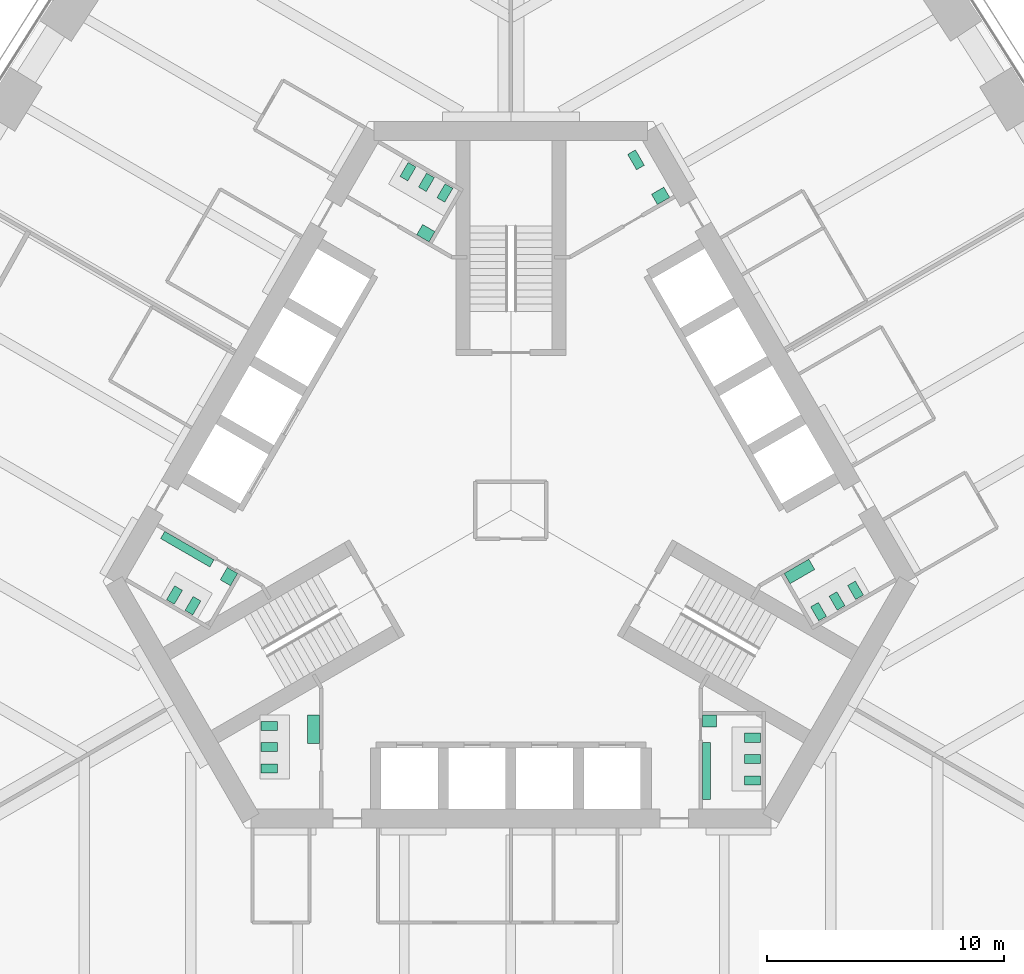
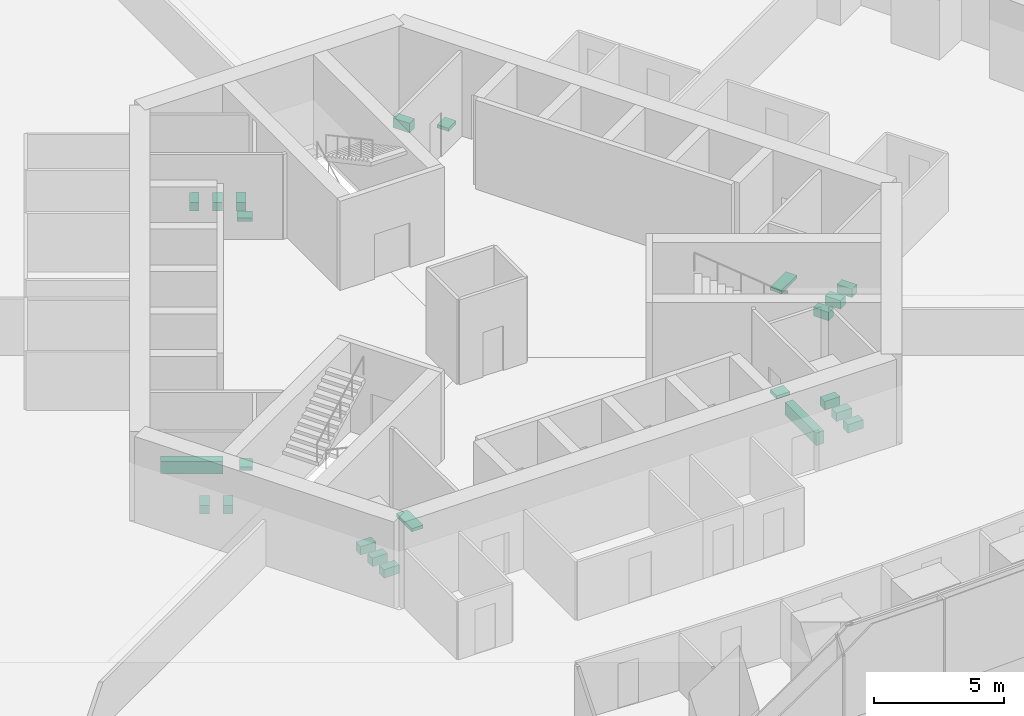
# One storey, part 17 of 18: 23 sanitary terminals.
"""IFC4 building model written with IfcOpenShell, lengths in metres."""

from ifc_helpers import new_model, si_unit, direction, frame, origin, place, context, subcontext, project, spatial, polyline, outline, extrude, material, type_object, element, save


model = new_model("IFC4")

# Units and contexts
model_context = context("Model", 3, precision=1e-05, world=origin(), true_north=direction((0.0, 1.0)))
body_context = subcontext(model_context, "Body", "Model", "MODEL_VIEW")
ifc_project = project(units=[si_unit("LENGTHUNIT", "METRE"), si_unit("AREAUNIT", "SQUARE_METRE"), si_unit("VOLUMEUNIT", "CUBIC_METRE"), si_unit("PLANEANGLEUNIT", "RADIAN"), si_unit("MASSUNIT", "GRAM", prefix="KILO")], contexts=[model_context])

# Site, building, storey
site_placement = place(None, origin())
site = spatial("IfcSite", under=ifc_project, at=site_placement, CompositionType="ELEMENT")
building_placement = place(site_placement, origin())
building = spatial("IfcBuilding", under=site, at=building_placement, Name="Trefoil Bronze Tower", CompositionType="ELEMENT")
storey_placement = place(building_placement, frame((0.0, 0.0, 71.10009765625)))
storey = spatial("IfcBuildingStorey", under=building, at=storey_placement, Name="L16", CompositionType="ELEMENT", Elevation=71.10009765625)

# Sanitary terminals
ifc_material_1 = material(Name="Vitreous china", Category="ceramic")
sanitary_terminal_type_1 = type_object("IfcSanitaryTerminalType", Name="Accessible WC pan", PredefinedType="TOILETPAN", material=ifc_material_1)
sanitary_terminal_1_placement = place(storey_placement, origin())
element("IfcSanitaryTerminal", 1, at=sanitary_terminal_1_placement, inside=storey, type_object=sanitary_terminal_type_1, Name="WC pan 1 Accessible WC L16", PredefinedType="TOILETPAN", context=body_context, shape_type="SweptSolid", body=[
    extrude(outline(polyline([(5.300537109375, 14.359130859375), (4.925537109375, 15.008544921875), (5.254638671875, 15.198486328125), (5.629638671875, 14.549072265625), (5.300537109375, 14.359130859375)])), origin(), (0.0, 0.0, 1.0), 0.449951171875),
])
ifc_material_2 = material(Name="Vitreous china", Category="ceramic")
sanitary_terminal_type_2 = type_object("IfcSanitaryTerminalType", Name="Accessible basin", PredefinedType="WASHHANDBASIN", material=ifc_material_2)
sanitary_terminal_2_placement = place(storey_placement, frame((0.0, 0.0, 0.64990234375)))
element("IfcSanitaryTerminal", 2, at=sanitary_terminal_2_placement, inside=storey, type_object=sanitary_terminal_type_2, Name="Wash basin Accessible WC L16", PredefinedType="WASHHANDBASIN", context=body_context, shape_type="SweptSolid", body=[
    extrude(outline(polyline([(6.181640625, 12.89306640625), (5.931640625, 13.326171875), (6.451171875, 13.626220703125), (6.701171875, 13.193115234375), (6.181640625, 12.89306640625)])), origin(), (0.0, 0.0, 1.0), 0.14990234375),
])
ifc_material_3 = material(Name="Vitreous china", Category="ceramic")
sanitary_terminal_type_3 = type_object("IfcSanitaryTerminalType", Name="Urinal range 4 urinals", PredefinedType="URINAL", material=ifc_material_3)
sanitary_terminal_3_placement = place(storey_placement, frame((0.0, 0.0, 0.39990234375)))
element("IfcSanitaryTerminal", 3, at=sanitary_terminal_3_placement, inside=storey, type_object=sanitary_terminal_type_3, Name="Urinal range WC (men) L16", PredefinedType="URINAL", context=body_context, shape_type="SweptSolid", body=[
    extrude(outline(polyline([(8.074951171875, -9.800048828125), (8.425048828125, -9.800048828125), (8.425048828125, -12.199951171875), (8.074951171875, -12.199951171875), (8.074951171875, -9.800048828125)])), origin(), (0.0, 0.0, 1.0), 0.60009765625),
])
sanitary_terminal_4_placement = place(storey_placement, frame((0.0, 0.0, 0.39990234375)))
element("IfcSanitaryTerminal", 4, at=sanitary_terminal_4_placement, inside=storey, type_object=sanitary_terminal_type_3, Name="Urinal range WC (men) L16", PredefinedType="URINAL", context=body_context, shape_type="SweptSolid", body=[
    extrude(outline(polyline([(-12.524658203125, -2.09326171875), (-12.699462890625, -2.396240234375), (-14.778076171875, -1.1962890625), (-14.60302734375, -0.89306640625), (-12.524658203125, -2.09326171875)])), origin(), (0.0, 0.0, 1.0), 0.60009765625),
])
ifc_material_4 = material(Name="Solid surface vanity", Category="plastic")
sanitary_terminal_type_4 = type_object("IfcSanitaryTerminalType", Name="Vanity unit 1 basins", PredefinedType="WASHHANDBASIN", material=ifc_material_4)
sanitary_terminal_5_placement = place(storey_placement, frame((0.0, 0.0, 0.75)))
element("IfcSanitaryTerminal", 5, at=sanitary_terminal_5_placement, inside=storey, type_object=sanitary_terminal_type_4, Name="Vanity unit WC (men) L16", PredefinedType="WASHHANDBASIN", context=body_context, shape_type="SweptSolid", body=[
    extrude(outline(polyline([(8.074951171875, -8.64990234375), (8.675048828125, -8.64990234375), (8.675048828125, -9.14990234375), (8.074951171875, -9.14990234375), (8.074951171875, -8.64990234375)])), origin(), (0.0, 0.0, 1.0), 0.14990234375),
])
sanitary_terminal_6_placement = place(storey_placement, frame((0.0, 0.0, 0.75)))
element("IfcSanitaryTerminal", 6, at=sanitary_terminal_6_placement, inside=storey, type_object=sanitary_terminal_type_4, Name="Vanity unit WC (women) L16", PredefinedType="WASHHANDBASIN", context=body_context, shape_type="SweptSolid", body=[
    extrude(outline(polyline([(-3.45361328125, 11.318115234375), (-3.20361328125, 11.751220703125), (-3.72314453125, 12.05126953125), (-3.97314453125, 11.6181640625), (-3.45361328125, 11.318115234375)])), origin(), (0.0, 0.0, 1.0), 0.14990234375),
])
sanitary_terminal_7_placement = place(storey_placement, frame((0.0, 0.0, 0.75)))
element("IfcSanitaryTerminal", 7, at=sanitary_terminal_7_placement, inside=storey, type_object=sanitary_terminal_type_4, Name="Vanity unit WC (men) L16", PredefinedType="WASHHANDBASIN", context=body_context, shape_type="SweptSolid", body=[
    extrude(outline(polyline([(-11.528564453125, -2.668212890625), (-11.82861328125, -3.187744140625), (-12.26171875, -2.937744140625), (-11.961669921875, -2.418212890625), (-11.528564453125, -2.668212890625)])), origin(), (0.0, 0.0, 1.0), 0.14990234375),
])
ifc_material_5 = material(Name="Solid surface vanity", Category="plastic")
sanitary_terminal_type_5 = type_object("IfcSanitaryTerminalType", Name="Vanity unit 2 basins", PredefinedType="WASHHANDBASIN", material=ifc_material_5)
sanitary_terminal_8_placement = place(storey_placement, frame((0.0, 0.0, 0.75)))
element("IfcSanitaryTerminal", 8, at=sanitary_terminal_8_placement, inside=storey, type_object=sanitary_terminal_type_5, Name="Vanity unit WC (women) L16", PredefinedType="WASHHANDBASIN", context=body_context, shape_type="SweptSolid", body=[
    extrude(outline(polyline([(11.528564453125, -2.668212890625), (11.778564453125, -3.10107421875), (12.81787109375, -2.501220703125), (12.56787109375, -2.068115234375), (11.528564453125, -2.668212890625)])), origin(), (0.0, 0.0, 1.0), 0.14990234375),
])
sanitary_terminal_9_placement = place(storey_placement, frame((0.0, 0.0, 0.75)))
element("IfcSanitaryTerminal", 9, at=sanitary_terminal_9_placement, inside=storey, type_object=sanitary_terminal_type_5, Name="Vanity unit WC (women) L16", PredefinedType="WASHHANDBASIN", context=body_context, shape_type="SweptSolid", body=[
    extrude(outline(polyline([(-8.074951171875, -8.64990234375), (-8.574951171875, -8.64990234375), (-8.574951171875, -9.85009765625), (-8.074951171875, -9.85009765625), (-8.074951171875, -8.64990234375)])), origin(), (0.0, 0.0, 1.0), 0.14990234375),
])
ifc_material_6 = material(Name="Vitreous china", Category="ceramic")
sanitary_terminal_type_6 = type_object("IfcSanitaryTerminalType", Name="WC pan", PredefinedType="TOILETPAN", material=ifc_material_6)
sanitary_terminal_10_placement = place(storey_placement, origin())
element("IfcSanitaryTerminal", 10, at=sanitary_terminal_10_placement, inside=storey, type_object=sanitary_terminal_type_6, Name="WC pan 1 WC (men) L16", PredefinedType="TOILETPAN", context=body_context, shape_type="SweptSolid", body=[
    extrude(outline(polyline([(9.85498046875, -9.409912109375), (10.534912109375, -9.409912109375), (10.534912109375, -9.7900390625), (9.85498046875, -9.7900390625), (9.85498046875, -9.409912109375)])), origin(), (0.0, 0.0, 1.0), 0.39990234375),
])
sanitary_terminal_11_placement = place(storey_placement, origin())
element("IfcSanitaryTerminal", 11, at=sanitary_terminal_11_placement, inside=storey, type_object=sanitary_terminal_type_6, Name="WC pan 2 WC (men) L16", PredefinedType="TOILETPAN", context=body_context, shape_type="SweptSolid", body=[
    extrude(outline(polyline([(9.85498046875, -10.31005859375), (10.534912109375, -10.31005859375), (10.534912109375, -10.68994140625), (9.85498046875, -10.68994140625), (9.85498046875, -10.31005859375)])), origin(), (0.0, 0.0, 1.0), 0.39990234375),
])
sanitary_terminal_12_placement = place(storey_placement, origin())
element("IfcSanitaryTerminal", 12, at=sanitary_terminal_12_placement, inside=storey, type_object=sanitary_terminal_type_6, Name="WC pan 3 WC (men) L16", PredefinedType="TOILETPAN", context=body_context, shape_type="SweptSolid", body=[
    extrude(outline(polyline([(9.85498046875, -11.2099609375), (10.534912109375, -11.2099609375), (10.534912109375, -11.590087890625), (9.85498046875, -11.590087890625), (9.85498046875, -11.2099609375)])), origin(), (0.0, 0.0, 1.0), 0.39990234375),
])
sanitary_terminal_13_placement = place(storey_placement, origin())
element("IfcSanitaryTerminal", 13, at=sanitary_terminal_13_placement, inside=storey, type_object=sanitary_terminal_type_6, Name="WC pan 1 WC (women) L16", PredefinedType="TOILETPAN", context=body_context, shape_type="SweptSolid", body=[
    extrude(outline(polyline([(12.643798828125, -4.07958984375), (12.98388671875, -4.66845703125), (13.31298828125, -4.478515625), (12.972900390625, -3.8896484375), (12.643798828125, -4.07958984375)])), origin(), (0.0, 0.0, 1.0), 0.39990234375),
])
sanitary_terminal_14_placement = place(storey_placement, origin())
element("IfcSanitaryTerminal", 14, at=sanitary_terminal_14_placement, inside=storey, type_object=sanitary_terminal_type_6, Name="WC pan 2 WC (women) L16", PredefinedType="TOILETPAN", context=body_context, shape_type="SweptSolid", body=[
    extrude(outline(polyline([(13.423095703125, -3.629638671875), (13.76318359375, -4.218505859375), (14.09228515625, -4.028564453125), (13.752197265625, -3.439697265625), (13.423095703125, -3.629638671875)])), origin(), (0.0, 0.0, 1.0), 0.39990234375),
])
sanitary_terminal_15_placement = place(storey_placement, origin())
element("IfcSanitaryTerminal", 15, at=sanitary_terminal_15_placement, inside=storey, type_object=sanitary_terminal_type_6, Name="WC pan 3 WC (women) L16", PredefinedType="TOILETPAN", context=body_context, shape_type="SweptSolid", body=[
    extrude(outline(polyline([(14.20263671875, -3.1796875), (14.542724609375, -3.7685546875), (14.871826171875, -3.57861328125), (14.53173828125, -2.98974609375), (14.20263671875, -3.1796875)])), origin(), (0.0, 0.0, 1.0), 0.39990234375),
])
sanitary_terminal_16_placement = place(storey_placement, origin())
element("IfcSanitaryTerminal", 16, at=sanitary_terminal_16_placement, inside=storey, type_object=sanitary_terminal_type_6, Name="WC pan 1 WC (women) L16", PredefinedType="TOILETPAN", context=body_context, shape_type="SweptSolid", body=[
    extrude(outline(polyline([(-2.788818359375, 12.98974609375), (-2.44873046875, 13.57861328125), (-2.77783203125, 13.7685546875), (-3.117919921875, 13.1796875), (-2.788818359375, 12.98974609375)])), origin(), (0.0, 0.0, 1.0), 0.39990234375),
])
sanitary_terminal_17_placement = place(storey_placement, origin())
element("IfcSanitaryTerminal", 17, at=sanitary_terminal_17_placement, inside=storey, type_object=sanitary_terminal_type_6, Name="WC pan 2 WC (women) L16", PredefinedType="TOILETPAN", context=body_context, shape_type="SweptSolid", body=[
    extrude(outline(polyline([(-3.568115234375, 13.439697265625), (-3.228271484375, 14.028564453125), (-3.557373046875, 14.218505859375), (-3.897216796875, 13.629638671875), (-3.568115234375, 13.439697265625)])), origin(), (0.0, 0.0, 1.0), 0.39990234375),
])
sanitary_terminal_18_placement = place(storey_placement, origin())
element("IfcSanitaryTerminal", 18, at=sanitary_terminal_18_placement, inside=storey, type_object=sanitary_terminal_type_6, Name="WC pan 3 WC (women) L16", PredefinedType="TOILETPAN", context=body_context, shape_type="SweptSolid", body=[
    extrude(outline(polyline([(-4.34765625, 13.8896484375), (-4.007568359375, 14.478515625), (-4.336669921875, 14.66845703125), (-4.6767578125, 14.07958984375), (-4.34765625, 13.8896484375)])), origin(), (0.0, 0.0, 1.0), 0.39990234375),
])
sanitary_terminal_19_placement = place(storey_placement, origin())
element("IfcSanitaryTerminal", 19, at=sanitary_terminal_19_placement, inside=storey, type_object=sanitary_terminal_type_6, Name="WC pan 1 WC (men) L16", PredefinedType="TOILETPAN", context=body_context, shape_type="SweptSolid", body=[
    extrude(outline(polyline([(-13.076904296875, -3.82958984375), (-13.416748046875, -4.41845703125), (-13.745849609375, -4.228515625), (-13.406005859375, -3.6396484375), (-13.076904296875, -3.82958984375)])), origin(), (0.0, 0.0, 1.0), 0.39990234375),
])
sanitary_terminal_20_placement = place(storey_placement, origin())
element("IfcSanitaryTerminal", 20, at=sanitary_terminal_20_placement, inside=storey, type_object=sanitary_terminal_type_6, Name="WC pan 2 WC (men) L16", PredefinedType="TOILETPAN", context=body_context, shape_type="SweptSolid", body=[
    extrude(outline(polyline([(-13.856201171875, -3.379638671875), (-14.1962890625, -3.968505859375), (-14.525390625, -3.778564453125), (-14.185302734375, -3.189697265625), (-13.856201171875, -3.379638671875)])), origin(), (0.0, 0.0, 1.0), 0.39990234375),
])
sanitary_terminal_21_placement = place(storey_placement, origin())
element("IfcSanitaryTerminal", 21, at=sanitary_terminal_21_placement, inside=storey, type_object=sanitary_terminal_type_6, Name="WC pan 1 WC (women) L16", PredefinedType="TOILETPAN", context=body_context, shape_type="SweptSolid", body=[
    extrude(outline(polyline([(-9.85498046875, -8.909912109375), (-10.534912109375, -8.909912109375), (-10.534912109375, -9.2900390625), (-9.85498046875, -9.2900390625), (-9.85498046875, -8.909912109375)])), origin(), (0.0, 0.0, 1.0), 0.39990234375),
])
sanitary_terminal_22_placement = place(storey_placement, origin())
element("IfcSanitaryTerminal", 22, at=sanitary_terminal_22_placement, inside=storey, type_object=sanitary_terminal_type_6, Name="WC pan 2 WC (women) L16", PredefinedType="TOILETPAN", context=body_context, shape_type="SweptSolid", body=[
    extrude(outline(polyline([(-9.85498046875, -9.81005859375), (-10.534912109375, -9.81005859375), (-10.534912109375, -10.18994140625), (-9.85498046875, -10.18994140625), (-9.85498046875, -9.81005859375)])), origin(), (0.0, 0.0, 1.0), 0.39990234375),
])
sanitary_terminal_23_placement = place(storey_placement, origin())
element("IfcSanitaryTerminal", 23, at=sanitary_terminal_23_placement, inside=storey, type_object=sanitary_terminal_type_6, Name="WC pan 3 WC (women) L16", PredefinedType="TOILETPAN", context=body_context, shape_type="SweptSolid", body=[
    extrude(outline(polyline([(-9.85498046875, -10.7099609375), (-10.534912109375, -10.7099609375), (-10.534912109375, -11.090087890625), (-9.85498046875, -11.090087890625), (-9.85498046875, -10.7099609375)])), origin(), (0.0, 0.0, 1.0), 0.39990234375),
])

save(model, "model.ifc")
